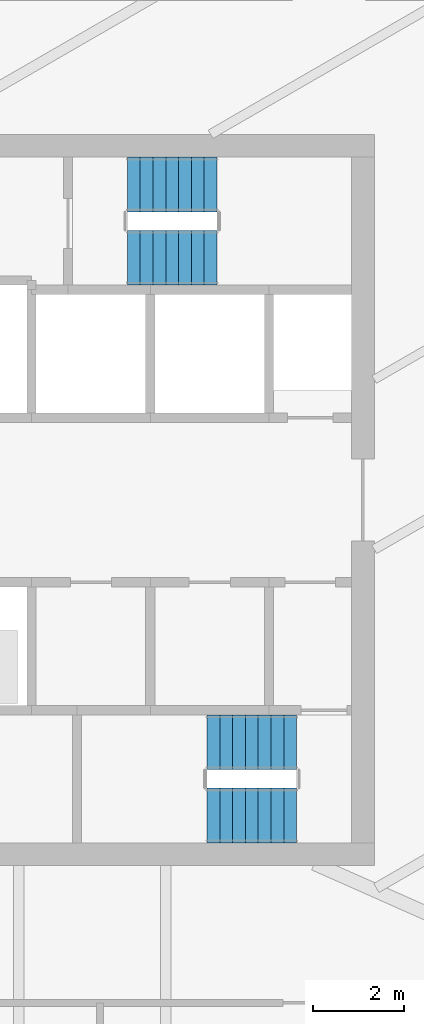
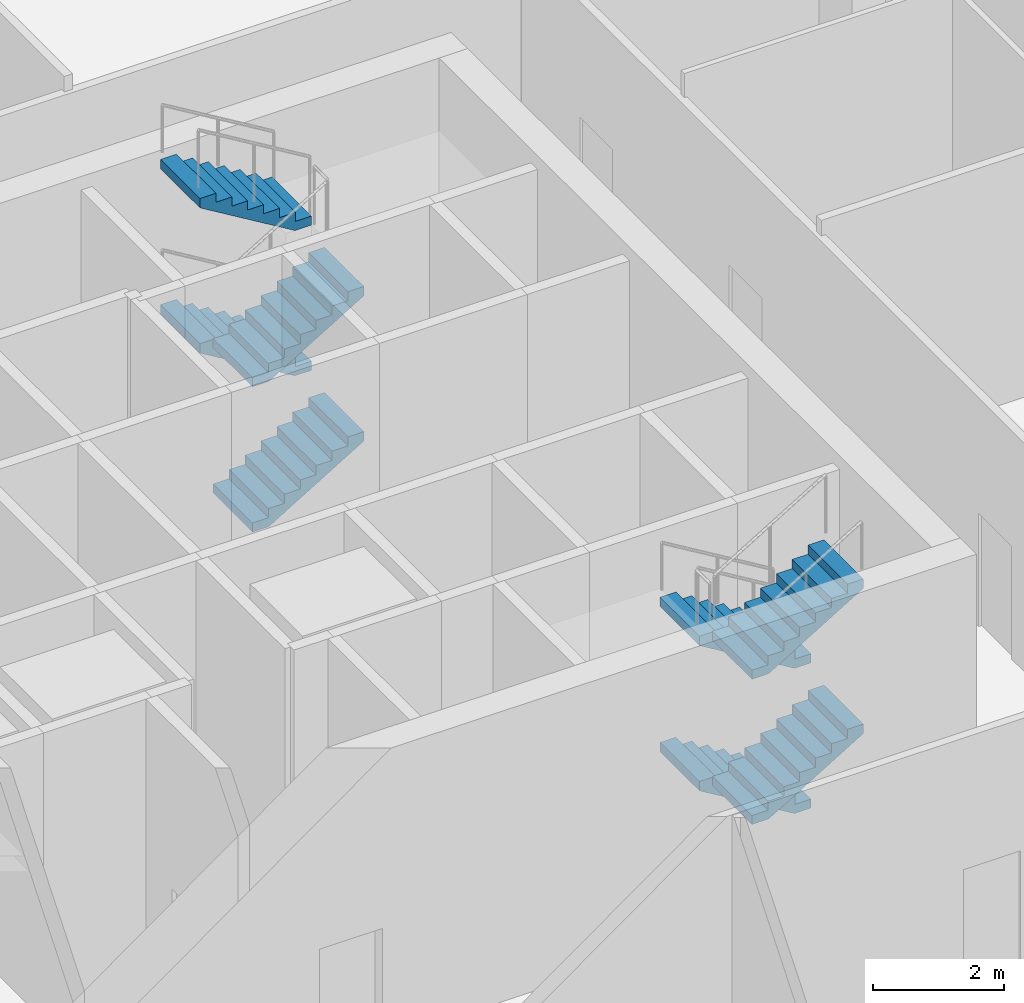
# One storey, part 10 of 14: 8 stair flights, 2 elements without a shape of their own.
"""IFC4 building model written with IfcOpenShell, lengths in metres."""

import ifcopenshell
import ifcopenshell.guid

model = None  # the IFC model being written
_history = None  # IfcOwnerHistory: only IFC2X3 demands one
_inside = {}  # id of a spatial element -> (the spatial element, [elements in it])
_under = {}  # id of a project, library or spatial element -> (it, [spatial elements below it])
_declared = {}  # id of a project -> (the project, [libraries it declares])
_typed = {}  # id of a type object -> (the type object, [elements of that type])
_made_of = {}  # id of a material, layer set ... -> (it, [elements and type objects made of it])


def new_model(schema):
    """Start an empty IFC model of exactly this schema.

    Asked for "IFC4X3", IfcOpenShell would pick the latest addendum, in which some entities
    have other attributes; the version numbers below select the first issue.
    IFC2X3 requires an IfcOwnerHistory on every rooted entity: one is made here for all.
    """
    global model, _history
    if schema == "IFC4X3":
        model = ifcopenshell.file(schema_version=(4, 3, 0, 0))
    else:
        model = ifcopenshell.file(schema=schema)
    _inside.clear()
    _under.clear()
    _declared.clear()
    _typed.clear()
    _made_of.clear()
    _history = None
    if model.schema == "IFC2X3":
        org = make("IfcOrganization", Name="unknown")
        user = make(
            "IfcPersonAndOrganization",
            ThePerson=make("IfcPerson", FamilyName="unknown"),
            TheOrganization=org,
        )
        app = make(
            "IfcApplication",
            ApplicationDeveloper=org,
            Version="unknown",
            ApplicationFullName="unknown",
            ApplicationIdentifier="unknown",
        )
        _history = make(
            "IfcOwnerHistory",
            OwningUser=user,
            OwningApplication=app,
            ChangeAction="ADDED",
            CreationDate=0,
        )
    return model


def make(cls, **values):
    """One entity of the class cls with the attributes given. An attribute that is None is left unset."""
    return model.create_entity(
        cls, **{name: value for name, value in values.items() if value is not None}
    )


def rooted(cls, **values):
    """An entity with a GlobalId (a new one), such as an element, a storey or a relation."""
    return make(cls, GlobalId=ifcopenshell.guid.new(), OwnerHistory=_history, **values)


def si_unit(unit_type, name, prefix=None):
    """IfcSIUnit, for example si_unit("LENGTHUNIT", "METRE", prefix="MILLI")."""
    return make("IfcSIUnit", UnitType=unit_type, Prefix=prefix, Name=name)


def assignment(units):
    """IfcUnitAssignment: the units of a project."""
    return None if units is None else make("IfcUnitAssignment", Units=units)


def point(xyz):
    """IfcCartesianPoint."""
    return None if xyz is None else make("IfcCartesianPoint", Coordinates=xyz)


def direction(xyz):
    """IfcDirection."""
    return None if xyz is None else make("IfcDirection", DirectionRatios=xyz)


def frame(location, z_axis=None, x_axis=None):
    """IfcAxis2Placement3D, a coordinate frame: its origin and axes. An axis left out is left unset."""
    return make(
        "IfcAxis2Placement3D",
        Location=point(location),
        Axis=direction(z_axis),
        RefDirection=direction(x_axis),
    )


def origin():
    """The frame at (0, 0, 0) with its axes left unset."""
    return frame((0.0, 0.0, 0.0))


def place(relative_to, where):
    """IfcLocalPlacement: puts the frame where relative to a parent placement (None: the world)."""
    return make(
        "IfcLocalPlacement", PlacementRelTo=relative_to, RelativePlacement=where
    )


def context(
    kind, dimensions, precision=None, world=None, true_north=None, identifier=None
):
    """IfcGeometricRepresentationContext, for example the 3D "Model" context."""
    return make(
        "IfcGeometricRepresentationContext",
        ContextIdentifier=identifier,
        ContextType=kind,
        CoordinateSpaceDimension=dimensions,
        Precision=precision,
        WorldCoordinateSystem=world,
        TrueNorth=true_north,
    )


def subcontext(parent, identifier, kind, view, scale=None):
    """IfcGeometricRepresentationSubContext, for example "Body" below "Model"."""
    return make(
        "IfcGeometricRepresentationSubContext",
        ContextIdentifier=identifier,
        ContextType=kind,
        ParentContext=parent,
        TargetScale=scale,
        TargetView=view,
    )


def project(units=None, contexts=None):
    """IfcProject with its units and contexts."""
    return rooted(
        "IfcProject",
        Name="project",
        RepresentationContexts=contexts,
        UnitsInContext=assignment(units),
    )


def spatial(cls, under=None, at=None, **own):
    """A site, building, storey or space (cls), placed at a placement, below another one or the project."""
    s = rooted(cls, ObjectPlacement=at, **own)
    if under is not None:
        _under.setdefault(under.id(), (under, []))[1].append(s)
    return s


def polyline(points):
    """IfcPolyline through the points."""
    return make("IfcPolyline", Points=[point(p) for p in points])


def outline(outer, holes=None, kind="AREA"):
    """IfcArbitraryClosedProfileDef: a profile drawn as a closed curve; with holes, ...WithVoids."""
    if holes is None:
        return make("IfcArbitraryClosedProfileDef", ProfileType=kind, OuterCurve=outer)
    return make(
        "IfcArbitraryProfileDefWithVoids",
        ProfileType=kind,
        OuterCurve=outer,
        InnerCurves=holes,
    )


def extrude(swept, where, along, depth):
    """IfcExtrudedAreaSolid: the profile swept, set in the frame where, extruded along a direction by depth."""
    return make(
        "IfcExtrudedAreaSolid",
        SweptArea=swept,
        Position=where,
        ExtrudedDirection=direction(along),
        Depth=depth,
    )


def shape(context_of_items, identifier, shape_type, items):
    """IfcShapeRepresentation: the items that make up one representation, for example the "Body"."""
    return make(
        "IfcShapeRepresentation",
        ContextOfItems=context_of_items,
        RepresentationIdentifier=identifier,
        RepresentationType=shape_type,
        Items=items,
    )


def material(Name=None, Category=None):
    """IfcMaterial."""
    return make("IfcMaterial", Name=Name, Category=Category)


def made_of(thing, what):
    """Note that an element or type object is made of a material, layer set ...; save() writes the relation."""
    if what is not None:
        _made_of.setdefault(what.id(), (what, []))[1].append(thing)
    return thing


def type_object(cls, material=None, **own):
    """A type object (cls), such as IfcWallType, which elements share."""
    return made_of(rooted(cls, **own), material)


def element(
    cls,
    number,
    at=None,
    inside=None,
    cuts=None,
    type_object=None,
    material=None,
    context=None,
    identifier="Body",
    shape_type=None,
    held_by="IfcProductDefinitionShape",
    body=None,
    shapes=None,
    **own,
):
    """One element of the class cls, such as IfcWall. Its Tag is "e" and its number.

    at: its placement. inside: the storey or other place that contains it. cuts: it is an
    opening in that element (IfcRelVoidsElement). A single representation is given by context,
    identifier, shape_type and body (its items); several are given by shapes. held_by: the class
    of the entity that holds the representations. save() writes the other relations.
    """
    e = rooted(cls, Tag="e%d" % number, ObjectPlacement=at, **own)
    if body is not None:
        shapes = [shape(context, identifier, shape_type, body)]
    if shapes is not None:
        e.Representation = make(held_by, Representations=shapes)
    if inside is not None:
        _inside.setdefault(inside.id(), (inside, []))[1].append(e)
    if cuts is not None:
        rooted(
            "IfcRelVoidsElement", RelatingBuildingElement=cuts, RelatedOpeningElement=e
        )
    if type_object is not None:
        _typed.setdefault(type_object.id(), (type_object, []))[1].append(e)
    return made_of(e, material)


def aggregate(whole, parts):
    """IfcRelAggregates: a whole, such as a stair, and the parts it consists of."""
    return rooted("IfcRelAggregates", RelatingObject=whole, RelatedObjects=parts)


def save(model, path):
    """Write the relations noted so far, then the file.

    IfcRelAggregates (storeys below a building ...), IfcRelContainedInSpatialStructure (elements
    in a storey), IfcRelDefinesByType, IfcRelAssociatesMaterial and IfcRelDeclares: one each for
    every whole, place, type object, material and project.
    """
    for whole, parts in _under.values():
        aggregate(whole, parts)
    for where, things in _inside.values():
        rooted(
            "IfcRelContainedInSpatialStructure",
            RelatedElements=things,
            RelatingStructure=where,
        )
    for kind, things in _typed.values():
        rooted("IfcRelDefinesByType", RelatedObjects=things, RelatingType=kind)
    for what, things in _made_of.values():
        rooted("IfcRelAssociatesMaterial", RelatedObjects=things, RelatingMaterial=what)
    for by, libraries in _declared.values():
        rooted("IfcRelDeclares", RelatingContext=by, RelatedDefinitions=libraries)
    model.write(path)


model = new_model("IFC4")

# Units and contexts
model_context = context("Model", 3, precision=1e-05, world=origin(), true_north=direction((0.0, 1.0)))
body_context = subcontext(model_context, "Body", "Model", "MODEL_VIEW")
ifc_project = project(units=[si_unit("LENGTHUNIT", "METRE"), si_unit("AREAUNIT", "SQUARE_METRE"), si_unit("VOLUMEUNIT", "CUBIC_METRE"), si_unit("PLANEANGLEUNIT", "RADIAN"), si_unit("MASSUNIT", "GRAM", prefix="KILO")], contexts=[model_context])

# Site, building, storey
site_placement = place(None, origin())
site = spatial("IfcSite", under=ifc_project, at=site_placement, CompositionType="ELEMENT")
building_placement = place(site_placement, origin())
building = spatial("IfcBuilding", under=site, at=building_placement, Name="Sierra Prisma Convention Tower", CompositionType="ELEMENT")
storey_placement = place(building_placement, frame((0.0, 0.0, 16.800048828125)))
storey = spatial("IfcBuildingStorey", under=building, at=storey_placement, Name="L02", CompositionType="ELEMENT", Elevation=16.800048828125)

# Stair, stair flights
ifc_material_1 = material(Name="Concrete C30/37", Category="concrete")
stair_type = type_object("IfcStairType", Name="Stair dog-leg 1200 RC", PredefinedType="HALF_TURN_STAIR", material=ifc_material_1)
stair_1_placement = place(storey_placement, origin())
stair_1 = element("IfcStair", 1, at=stair_1_placement, inside=storey, type_object=stair_type, Name="L02 S2", PredefinedType="HALF_TURN_STAIR")
ifc_material_2 = material(Name="Concrete C30/37", Category="concrete")
stair_flight_type = type_object("IfcStairFlightType", Name="Stair flight RC 1200", PredefinedType="STRAIGHT", material=ifc_material_2)
stair_flight_1_placement = place(storey_placement, frame((9.300048828125, -5.300048828125, 0.0), z_axis=(0.0, 0.0, 1.0), x_axis=(-1.0, 0.0, 0.0)))
stair_flight_1 = element("IfcStairFlight", 2, at=stair_flight_1_placement, type_object=stair_flight_type, Name="S2 flight 1", NumberOfRisers=8, NumberOfTreads=7, PredefinedType="STRAIGHT", RiserHeight=0.16875, TreadLength=0.28, context=body_context, shape_type="SweptSolid", body=[
    extrude(outline(polyline([(0.0, 0.0), (0.0, 0.168701171875), (0.280029296875, 0.168701171875), (0.280029296875, 0.33740234375), (0.56005859375, 0.33740234375), (0.56005859375, 0.50634765625), (0.840087890625, 0.50634765625), (0.840087890625, 0.675048828125), (1.1201171875, 0.675048828125), (1.1201171875, 0.84375), (1.39990234375, 0.84375), (1.39990234375, 1.012451171875), (1.679931640625, 1.012451171875), (1.679931640625, 1.18115234375), (1.9599609375, 1.18115234375), (1.9599609375, 1.35009765625), (1.9599609375, 1.00634765625), (0.29052734375, 0.0), (0.0, 0.0)])), frame((0.0, 0.60009765625, 0.0), z_axis=(0.0, -1.0, 0.0), x_axis=(1.0, 0.0, 0.0)), (0.0, 0.0, 1.0), 1.199951171875),
])
stair_flight_2_placement = place(storey_placement, frame((7.340087890625, -6.89990234375, 1.349853515625), z_axis=(0.0, 0.0, 1.0), x_axis=(1.0, 0.0, 0.0)))
stair_flight_2 = element("IfcStairFlight", 3, at=stair_flight_2_placement, type_object=stair_flight_type, Name="S2 flight 2", NumberOfRisers=8, NumberOfTreads=7, PredefinedType="STRAIGHT", RiserHeight=0.16875, TreadLength=0.28, context=body_context, shape_type="SweptSolid", body=[
    extrude(outline(polyline([(0.0, 0.0), (0.0, 0.168701171875), (0.280029296875, 0.168701171875), (0.280029296875, 0.33740234375), (0.56005859375, 0.33740234375), (0.56005859375, 0.50634765625), (0.840087890625, 0.50634765625), (0.840087890625, 0.675048828125), (1.1201171875, 0.675048828125), (1.1201171875, 0.84375), (1.39990234375, 0.84375), (1.39990234375, 1.012451171875), (1.679931640625, 1.012451171875), (1.679931640625, 1.18115234375), (1.9599609375, 1.18115234375), (1.9599609375, 1.35009765625), (1.9599609375, 1.00634765625), (0.29052734375, 0.0), (0.0, 0.0)])), frame((0.0, 0.60009765625, 0.0), z_axis=(0.0, -1.0, 0.0), x_axis=(1.0, 0.0, 0.0)), (0.0, 0.0, 1.0), 1.199951171875),
])
stair_flight_3_placement = place(storey_placement, frame((9.300048828125, -5.300048828125, 2.699951171875), z_axis=(0.0, 0.0, 1.0), x_axis=(-1.0, 0.0, 0.0)))
stair_flight_3 = element("IfcStairFlight", 4, at=stair_flight_3_placement, type_object=stair_flight_type, Name="S2 flight 3", NumberOfRisers=8, NumberOfTreads=7, PredefinedType="STRAIGHT", RiserHeight=0.16875, TreadLength=0.28, context=body_context, shape_type="SweptSolid", body=[
    extrude(outline(polyline([(0.0, 0.0), (0.0, 0.168701171875), (0.280029296875, 0.168701171875), (0.280029296875, 0.33740234375), (0.56005859375, 0.33740234375), (0.56005859375, 0.50634765625), (0.840087890625, 0.50634765625), (0.840087890625, 0.675048828125), (1.1201171875, 0.675048828125), (1.1201171875, 0.84375), (1.39990234375, 0.84375), (1.39990234375, 1.012451171875), (1.679931640625, 1.012451171875), (1.679931640625, 1.18115234375), (1.9599609375, 1.18115234375), (1.9599609375, 1.35009765625), (1.9599609375, 1.00634765625), (0.29052734375, 0.0), (0.0, 0.0)])), frame((0.0, 0.60009765625, 0.0), z_axis=(0.0, -1.0, 0.0), x_axis=(1.0, 0.0, 0.0)), (0.0, 0.0, 1.0), 1.199951171875),
])
stair_flight_4_placement = place(storey_placement, frame((7.340087890625, -6.89990234375, 4.050048828125), z_axis=(0.0, 0.0, 1.0), x_axis=(1.0, 0.0, 0.0)))
stair_flight_4 = element("IfcStairFlight", 5, at=stair_flight_4_placement, type_object=stair_flight_type, Name="S2 flight 4", NumberOfRisers=8, NumberOfTreads=7, PredefinedType="STRAIGHT", RiserHeight=0.16875, TreadLength=0.28, context=body_context, shape_type="SweptSolid", body=[
    extrude(outline(polyline([(0.0, 0.0), (0.0, 0.168701171875), (0.280029296875, 0.168701171875), (0.280029296875, 0.33740234375), (0.56005859375, 0.33740234375), (0.56005859375, 0.50634765625), (0.840087890625, 0.50634765625), (0.840087890625, 0.675048828125), (1.1201171875, 0.675048828125), (1.1201171875, 0.84375), (1.39990234375, 0.84375), (1.39990234375, 1.012451171875), (1.679931640625, 1.012451171875), (1.679931640625, 1.18115234375), (1.9599609375, 1.18115234375), (1.9599609375, 1.35009765625), (1.9599609375, 1.00634765625), (0.29052734375, 0.0), (0.0, 0.0)])), frame((0.0, 0.60009765625, 0.0), z_axis=(0.0, -1.0, 0.0), x_axis=(1.0, 0.0, 0.0)), (0.0, 0.0, 1.0), 1.199951171875),
])
aggregate(stair_1, [stair_flight_1, stair_flight_2, stair_flight_3, stair_flight_4])

stair_2_placement = place(storey_placement, origin())
stair_2 = element("IfcStair", 6, at=stair_2_placement, inside=storey, type_object=stair_type, Name="L02 S4", PredefinedType="HALF_TURN_STAIR")
stair_flight_5_placement = place(storey_placement, frame((5.60009765625, 5.300048828125, 0.0), z_axis=(0.0, 0.0, 1.0), x_axis=(1.0, 0.0, 0.0)))
stair_flight_5 = element("IfcStairFlight", 7, at=stair_flight_5_placement, type_object=stair_flight_type, Name="S4 flight 1", NumberOfRisers=8, NumberOfTreads=7, PredefinedType="STRAIGHT", RiserHeight=0.16875, TreadLength=0.28, context=body_context, shape_type="SweptSolid", body=[
    extrude(outline(polyline([(0.0, 0.0), (0.0, 0.168701171875), (0.280029296875, 0.168701171875), (0.280029296875, 0.33740234375), (0.56005859375, 0.33740234375), (0.56005859375, 0.50634765625), (0.840087890625, 0.50634765625), (0.840087890625, 0.675048828125), (1.1201171875, 0.675048828125), (1.1201171875, 0.84375), (1.39990234375, 0.84375), (1.39990234375, 1.012451171875), (1.679931640625, 1.012451171875), (1.679931640625, 1.18115234375), (1.9599609375, 1.18115234375), (1.9599609375, 1.35009765625), (1.9599609375, 1.00634765625), (0.29052734375, 0.0), (0.0, 0.0)])), frame((0.0, 0.60009765625, 0.0), z_axis=(0.0, -1.0, 0.0), x_axis=(1.0, 0.0, 0.0)), (0.0, 0.0, 1.0), 1.199951171875),
])
stair_flight_6_placement = place(storey_placement, frame((7.56005859375, 6.89990234375, 1.349853515625), z_axis=(0.0, 0.0, 1.0), x_axis=(-1.0, 0.0, 0.0)))
stair_flight_6 = element("IfcStairFlight", 8, at=stair_flight_6_placement, type_object=stair_flight_type, Name="S4 flight 2", NumberOfRisers=8, NumberOfTreads=7, PredefinedType="STRAIGHT", RiserHeight=0.16875, TreadLength=0.28, context=body_context, shape_type="SweptSolid", body=[
    extrude(outline(polyline([(0.0, 0.0), (0.0, 0.168701171875), (0.280029296875, 0.168701171875), (0.280029296875, 0.33740234375), (0.56005859375, 0.33740234375), (0.56005859375, 0.50634765625), (0.840087890625, 0.50634765625), (0.840087890625, 0.675048828125), (1.1201171875, 0.675048828125), (1.1201171875, 0.84375), (1.39990234375, 0.84375), (1.39990234375, 1.012451171875), (1.679931640625, 1.012451171875), (1.679931640625, 1.18115234375), (1.9599609375, 1.18115234375), (1.9599609375, 1.35009765625), (1.9599609375, 1.00634765625), (0.29052734375, 0.0), (0.0, 0.0)])), frame((0.0, 0.60009765625, 0.0), z_axis=(0.0, -1.0, 0.0), x_axis=(1.0, 0.0, 0.0)), (0.0, 0.0, 1.0), 1.199951171875),
])
stair_flight_7_placement = place(storey_placement, frame((5.60009765625, 5.300048828125, 2.699951171875), z_axis=(0.0, 0.0, 1.0), x_axis=(1.0, 0.0, 0.0)))
stair_flight_7 = element("IfcStairFlight", 9, at=stair_flight_7_placement, type_object=stair_flight_type, Name="S4 flight 3", NumberOfRisers=8, NumberOfTreads=7, PredefinedType="STRAIGHT", RiserHeight=0.16875, TreadLength=0.28, context=body_context, shape_type="SweptSolid", body=[
    extrude(outline(polyline([(0.0, 0.0), (0.0, 0.168701171875), (0.280029296875, 0.168701171875), (0.280029296875, 0.33740234375), (0.56005859375, 0.33740234375), (0.56005859375, 0.50634765625), (0.840087890625, 0.50634765625), (0.840087890625, 0.675048828125), (1.1201171875, 0.675048828125), (1.1201171875, 0.84375), (1.39990234375, 0.84375), (1.39990234375, 1.012451171875), (1.679931640625, 1.012451171875), (1.679931640625, 1.18115234375), (1.9599609375, 1.18115234375), (1.9599609375, 1.35009765625), (1.9599609375, 1.00634765625), (0.29052734375, 0.0), (0.0, 0.0)])), frame((0.0, 0.60009765625, 0.0), z_axis=(0.0, -1.0, 0.0), x_axis=(1.0, 0.0, 0.0)), (0.0, 0.0, 1.0), 1.199951171875),
])
stair_flight_8_placement = place(storey_placement, frame((7.56005859375, 6.89990234375, 4.050048828125), z_axis=(0.0, 0.0, 1.0), x_axis=(-1.0, 0.0, 0.0)))
stair_flight_8 = element("IfcStairFlight", 10, at=stair_flight_8_placement, type_object=stair_flight_type, Name="S4 flight 4", NumberOfRisers=8, NumberOfTreads=7, PredefinedType="STRAIGHT", RiserHeight=0.16875, TreadLength=0.28, context=body_context, shape_type="SweptSolid", body=[
    extrude(outline(polyline([(0.0, 0.0), (0.0, 0.168701171875), (0.280029296875, 0.168701171875), (0.280029296875, 0.33740234375), (0.56005859375, 0.33740234375), (0.56005859375, 0.50634765625), (0.840087890625, 0.50634765625), (0.840087890625, 0.675048828125), (1.1201171875, 0.675048828125), (1.1201171875, 0.84375), (1.39990234375, 0.84375), (1.39990234375, 1.012451171875), (1.679931640625, 1.012451171875), (1.679931640625, 1.18115234375), (1.9599609375, 1.18115234375), (1.9599609375, 1.35009765625), (1.9599609375, 1.00634765625), (0.29052734375, 0.0), (0.0, 0.0)])), frame((0.0, 0.60009765625, 0.0), z_axis=(0.0, -1.0, 0.0), x_axis=(1.0, 0.0, 0.0)), (0.0, 0.0, 1.0), 1.199951171875),
])
aggregate(stair_2, [stair_flight_5, stair_flight_6, stair_flight_7, stair_flight_8])

save(model, "model.ifc")
